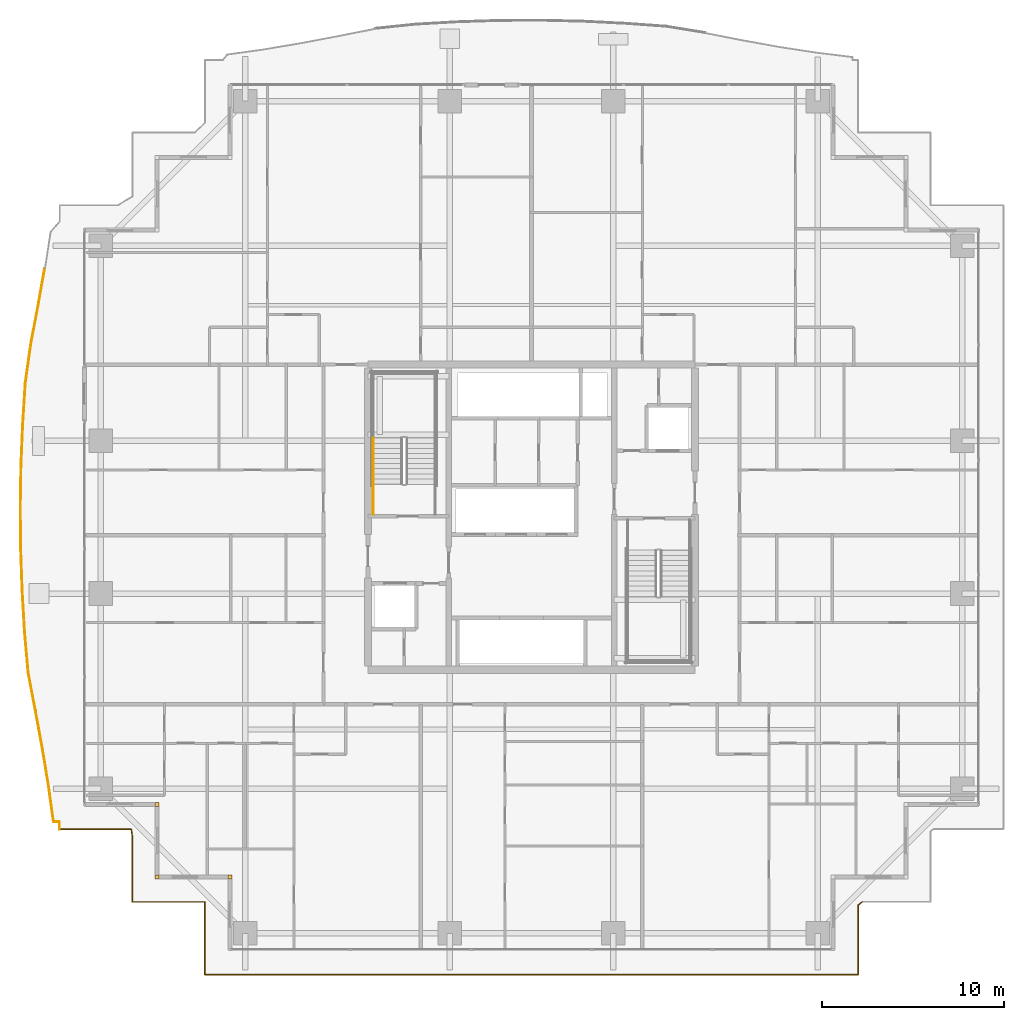
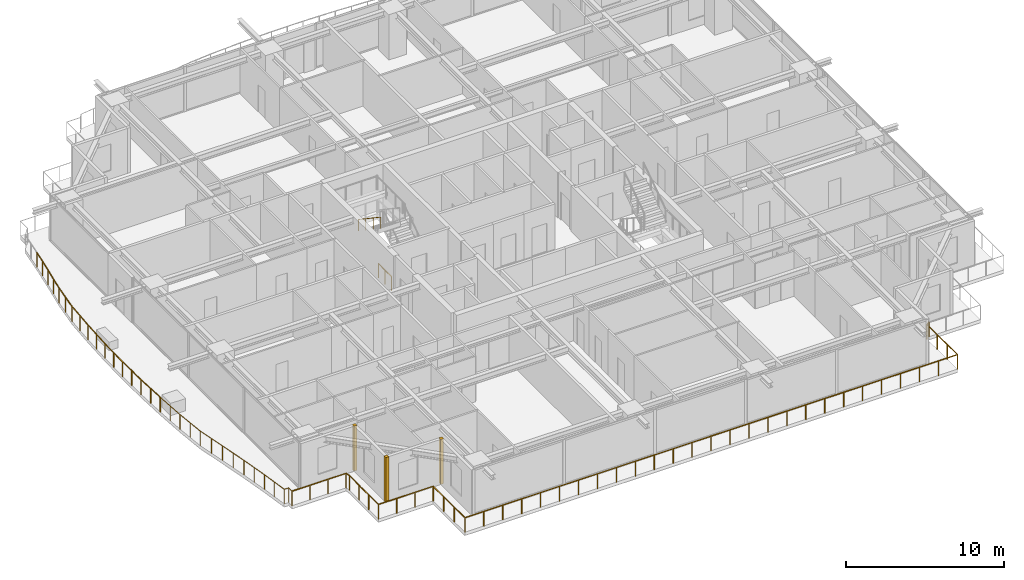
# One storey, part 34 of 38: 5 railings, 3 coverings.
"""IFC4 building model written with IfcOpenShell, lengths in metres."""

from ifc_helpers import new_model, si_unit, direction, frame, origin, origin_2d, place, context, subcontext, project, spatial, rectangle, circle, extrude, source, transform, mapped, material, layer, layer_set, type_object, element, save


model = new_model("IFC4")

# Units and contexts
model_context = context("Model", 3, precision=1e-05, world=origin(), true_north=direction((0.0, 1.0)))
body_context = subcontext(model_context, "Body", "Model", "MODEL_VIEW")
ifc_project = project(units=[si_unit("LENGTHUNIT", "METRE"), si_unit("AREAUNIT", "SQUARE_METRE"), si_unit("VOLUMEUNIT", "CUBIC_METRE"), si_unit("PLANEANGLEUNIT", "RADIAN"), si_unit("MASSUNIT", "GRAM", prefix="KILO")], contexts=[model_context])

# Site, building, storey
site_placement = place(None, origin())
site = spatial("IfcSite", under=ifc_project, at=site_placement, CompositionType="ELEMENT")
building_placement = place(site_placement, origin())
building = spatial("IfcBuilding", under=site, at=building_placement, Name="Serunith Strait Residences", CompositionType="ELEMENT")
storey_placement = place(building_placement, frame((0.0, 0.0, 120.14990234375)))
storey = spatial("IfcBuildingStorey", under=building, at=storey_placement, Name="L29", CompositionType="ELEMENT", Elevation=120.14990234375)

# Railings
ifc_material_1 = material(Name="Stainless Steel & Laminated Glass Balustrade", Category="steel")
railing_type_1 = type_object("IfcRailingType", Name="RLG-BALC-1150", PredefinedType="BALUSTRADE", material=ifc_material_1)
railing_1_placement = place(storey_placement, frame((6.419921875, 8.02001953125, -0.0498046875)))
element("IfcRailing", 1, at=railing_1_placement, inside=storey, type_object=railing_type_1, Name="L29 Swirling Balcony Perimeter Balustrade 1", PredefinedType="BALUSTRADE", context=body_context, shape_type="SweptSolid", body=[
    extrude(circle(Radius=0.02392578125, at=origin_2d()), frame((0.0, 0.001953125, 1.1259765625), z_axis=(0.0, 1.0, 0.0), x_axis=(-1.0, 0.0, 0.0)), (0.0, 0.0, 1.0), 0.40625),
    extrude(circle(Radius=0.02392578125, at=origin_2d()), frame((-0.001953125, 0.41015625, 1.1259765625), z_axis=(-0.998354096912, 0.05735065107, 0.0), x_axis=(-0.05735065107, -0.998354096912, 0.0)), (0.0, 0.0, 1.0), 0.319580078125),
    extrude(circle(Radius=0.02392578125, at=origin_2d()), frame((-0.3232421875, 0.4306640625, 1.1259765625), z_axis=(-0.137700040683, 0.990473976839, 0.0), x_axis=(-0.990473976839, -0.137700040683, 0.0)), (0.0, 0.0, 1.0), 2.01708984375),
    extrude(circle(Radius=0.02392578125, at=origin_2d()), frame((-0.6015625, 2.4326171875, 1.1259765625), z_axis=(-0.162408439988, 0.986723618153, 0.0), x_axis=(-0.986723618153, -0.162408439988, 0.0)), (0.0, 0.0, 1.0), 2.044921875),
    extrude(circle(Radius=0.02392578125, at=origin_2d()), frame((-0.934326171875, 4.454345703125, 1.1259765625), z_axis=(-0.180927869402, 0.983496368104, 0.0), x_axis=(-0.983496368104, -0.180927869402, 0.0)), (0.0, 0.0, 1.0), 2.0888671875),
    extrude(circle(Radius=0.02392578125, at=origin_2d()), frame((-1.313232421875, 6.5126953125, 1.1259765625), z_axis=(-0.186460195664, 0.982462516045, 0.0), x_axis=(-0.982462516045, -0.186460195664, 0.0)), (0.0, 0.0, 1.0), 2.147216796875),
    extrude(circle(Radius=0.02392578125, at=origin_2d()), frame((-1.714111328125, 8.626220703125, 1.1259765625), z_axis=(-0.088742194244, 0.996054628502, 0.0), x_axis=(-0.996054628502, -0.088742194244, 0.0)), (0.0, 0.0, 1.0), 2.22998046875),
    extrude(circle(Radius=0.02392578125, at=origin_2d()), frame((-1.912109375, 10.851318359375, 1.1259765625), z_axis=(-0.057720145887, 0.998332802606, 0.0), x_axis=(-0.998332802606, -0.057720145887, 0.0)), (0.0, 0.0, 1.0), 2.267333984375),
    extrude(circle(Radius=0.02099609375, at=origin_2d()), origin(), (0.0, 0.0, 1.0), 1.099853515625),
    extrude(circle(Radius=0.02099609375, at=origin_2d()), frame((0.0, 0.41015625, 0.0)), (0.0, 0.0, 1.0), 1.099853515625),
    extrude(circle(Radius=0.02099609375, at=origin_2d()), frame((-0.322998046875, 0.4287109375, 0.0)), (0.0, 0.0, 1.0), 1.099853515625),
    extrude(circle(Radius=0.02099609375, at=origin_2d()), frame((-0.462158203125, 1.4296875, 0.0)), (0.0, 0.0, 1.0), 1.099853515625),
    extrude(circle(Radius=0.02099609375, at=origin_2d()), frame((-0.601318359375, 2.4306640625, 0.0)), (0.0, 0.0, 1.0), 1.099853515625),
    extrude(circle(Radius=0.02099609375, at=origin_2d()), frame((-0.767578125, 3.44140625, 0.0)), (0.0, 0.0, 1.0), 1.099853515625),
    extrude(circle(Radius=0.02099609375, at=origin_2d()), frame((-0.93408203125, 4.452392578125, 0.0)), (0.0, 0.0, 1.0), 1.099853515625),
    extrude(circle(Radius=0.02099609375, at=origin_2d()), frame((-1.12353515625, 5.4814453125, 0.0)), (0.0, 0.0, 1.0), 1.099853515625),
    extrude(circle(Radius=0.02099609375, at=origin_2d()), frame((-1.312744140625, 6.5107421875, 0.0)), (0.0, 0.0, 1.0), 1.099853515625),
    extrude(circle(Radius=0.02099609375, at=origin_2d()), frame((-1.51318359375, 7.5673828125, 0.0)), (0.0, 0.0, 1.0), 1.099853515625),
    extrude(circle(Radius=0.02099609375, at=origin_2d()), frame((-1.7138671875, 8.624267578125, 0.0)), (0.0, 0.0, 1.0), 1.099853515625),
    extrude(circle(Radius=0.02099609375, at=origin_2d()), frame((-1.81298828125, 9.73681640625, 0.0)), (0.0, 0.0, 1.0), 1.099853515625),
    extrude(circle(Radius=0.02099609375, at=origin_2d()), frame((-1.912109375, 10.849365234375, 0.0)), (0.0, 0.0, 1.0), 1.099853515625),
    extrude(circle(Radius=0.02099609375, at=origin_2d()), frame((-1.9775390625, 11.983154296875, 0.0)), (0.0, 0.0, 1.0), 1.099853515625),
    extrude(circle(Radius=0.02099609375, at=origin_2d()), frame((-2.043212890625, 13.116943359375, 0.0)), (0.0, 0.0, 1.0), 1.099853515625),
])
railing_2_placement = place(storey_placement, frame((4.376708984375, 21.136962890625, -0.0498046875)))
element("IfcRailing", 2, at=railing_2_placement, inside=storey, type_object=railing_type_1, Name="L29 Swirling Balcony Perimeter Balustrade 2", PredefinedType="BALUSTRADE", context=body_context, shape_type="SweptSolid", body=[
    extrude(circle(Radius=0.02392578125, at=origin_2d()), frame((0.0, 0.001953125, 1.1259765625), z_axis=(-0.035444749736, 0.999371637438, 0.0), x_axis=(-0.999371637438, -0.035444749736, 0.0)), (0.0, 0.0, 1.0), 2.289794921875),
    extrude(circle(Radius=0.02392578125, at=origin_2d()), frame((-0.081298828125, 2.294189453125, 1.1259765625), z_axis=(-0.010064115772, 0.999949355504, 0.0), x_axis=(-0.999949355504, -0.010064115772, 0.0)), (0.0, 0.0, 1.0), 2.300537109375),
    extrude(circle(Radius=0.02392578125, at=origin_2d()), frame((-0.1044921875, 4.5986328125, 1.1259765625), z_axis=(0.016012370438, 0.999871793778, 0.0), x_axis=(-0.999871793778, 0.016012370438, 0.0)), (0.0, 0.0, 1.0), 2.29833984375),
    extrude(circle(Radius=0.02392578125, at=origin_2d()), frame((-0.067626953125, 6.900634765625, 1.1259765625), z_axis=(0.041088962232, 0.999155491994, 0.0), x_axis=(-0.999155491994, 0.041088962232, 0.0)), (0.0, 0.0, 1.0), 2.28369140625),
    extrude(circle(Radius=0.02392578125, at=origin_2d()), frame((0.026611328125, 9.186279296875, 1.1259765625), z_axis=(0.062593283777, 0.998039117884, 0.0), x_axis=(-0.998039117884, 0.062593283777, 0.0)), (0.0, 0.0, 1.0), 2.25830078125),
    extrude(circle(Radius=0.02392578125, at=origin_2d()), frame((0.168212890625, 11.444091796875, 1.1259765625), z_axis=(0.139135733302, 0.990273319704, 0.0), x_axis=(-0.990273319704, 0.139135733302, 0.0)), (0.0, 0.0, 1.0), 2.194580078125),
    extrude(circle(Radius=0.02392578125, at=origin_2d()), frame((0.474365234375, 13.621337890625, 1.1259765625), z_axis=(0.186035495468, 0.982543024211, 0.0), x_axis=(-0.982543024211, 0.186035495468, 0.0)), (0.0, 0.0, 1.0), 2.1220703125),
    extrude(circle(Radius=0.02392578125, at=origin_2d()), frame((0.86962890625, 15.710205078125, 1.1259765625), z_axis=(0.174779622771, 0.984607578411, 0.0), x_axis=(-0.984607578411, 0.174779622771, 0.0)), (0.0, 0.0, 1.0), 2.06884765625),
    extrude(circle(Radius=0.02099609375, at=origin_2d()), origin(), (0.0, 0.0, 1.0), 1.099853515625),
    extrude(circle(Radius=0.02099609375, at=origin_2d()), frame((-0.04052734375, 1.14599609375, 0.0)), (0.0, 0.0, 1.0), 1.099853515625),
    extrude(circle(Radius=0.02099609375, at=origin_2d()), frame((-0.081298828125, 2.292236328125, 0.0)), (0.0, 0.0, 1.0), 1.099853515625),
    extrude(circle(Radius=0.02099609375, at=origin_2d()), frame((-0.0927734375, 3.4443359375, 0.0)), (0.0, 0.0, 1.0), 1.099853515625),
    extrude(circle(Radius=0.02099609375, at=origin_2d()), frame((-0.1044921875, 4.5966796875, 0.0)), (0.0, 0.0, 1.0), 1.099853515625),
    extrude(circle(Radius=0.02099609375, at=origin_2d()), frame((-0.0859375, 5.74755859375, 0.0)), (0.0, 0.0, 1.0), 1.099853515625),
    extrude(circle(Radius=0.02099609375, at=origin_2d()), frame((-0.067626953125, 6.898681640625, 0.0)), (0.0, 0.0, 1.0), 1.099853515625),
    extrude(circle(Radius=0.02099609375, at=origin_2d()), frame((-0.0205078125, 8.04150390625, 0.0)), (0.0, 0.0, 1.0), 1.099853515625),
    extrude(circle(Radius=0.02099609375, at=origin_2d()), frame((0.0263671875, 9.184326171875, 0.0)), (0.0, 0.0, 1.0), 1.099853515625),
    extrude(circle(Radius=0.02099609375, at=origin_2d()), frame((0.09716796875, 10.313232421875, 0.0)), (0.0, 0.0, 1.0), 1.099853515625),
    extrude(circle(Radius=0.02099609375, at=origin_2d()), frame((0.16796875, 11.442138671875, 0.0)), (0.0, 0.0, 1.0), 1.099853515625),
    extrude(circle(Radius=0.02099609375, at=origin_2d()), frame((0.32080078125, 12.53076171875, 0.0)), (0.0, 0.0, 1.0), 1.099853515625),
    extrude(circle(Radius=0.02099609375, at=origin_2d()), frame((0.473876953125, 13.619384765625, 0.0)), (0.0, 0.0, 1.0), 1.099853515625),
    extrude(circle(Radius=0.02099609375, at=origin_2d()), frame((0.671630859375, 14.663818359375, 0.0)), (0.0, 0.0, 1.0), 1.099853515625),
    extrude(circle(Radius=0.02099609375, at=origin_2d()), frame((0.869384765625, 15.708251953125, 0.0)), (0.0, 0.0, 1.0), 1.099853515625),
    extrude(circle(Radius=0.02099609375, at=origin_2d()), frame((1.050537109375, 16.728759765625, 0.0)), (0.0, 0.0, 1.0), 1.099853515625),
    extrude(circle(Radius=0.02099609375, at=origin_2d()), frame((1.231689453125, 17.749267578125, 0.0)), (0.0, 0.0, 1.0), 1.099853515625),
])
railing_3_placement = place(storey_placement, frame((50.601806640625, 4.02001953125, -0.0498046875)))
element("IfcRailing", 3, at=railing_3_placement, inside=storey, type_object=railing_type_1, Name="L29 Swirling Balcony Perimeter Balustrade 8", PredefinedType="BALUSTRADE", context=body_context, shape_type="SweptSolid", body=[
    extrude(circle(Radius=0.02392578125, at=origin_2d()), frame((-0.00146484375, -0.001220703125, 1.1259765625), z_axis=(-0.778021630841, -0.62823748849, 0.0), x_axis=(0.62823748849, -0.778021630841, 0.0)), (0.0, 0.0, 1.0), 0.28125),
    extrude(circle(Radius=0.02392578125, at=origin_2d()), frame((-0.221923828125, -0.18115234375, 1.1259765625), z_axis=(0.0, -1.0, 0.0), x_axis=(1.0, 0.0, 0.0)), (0.0, 0.0, 1.0), 3.81689453125),
    extrude(circle(Radius=0.02392578125, at=origin_2d()), frame((-0.223876953125, -4.0, 1.1259765625), z_axis=(-1.0, 0.0, 0.0), x_axis=(0.0, -1.0, 0.0)), (0.0, 0.0, 1.0), 35.9560546875),
    extrude(circle(Radius=0.02392578125, at=origin_2d()), frame((-36.181884765625, -3.998046875, 1.1259765625), z_axis=(0.0, 1.0, 0.0), x_axis=(-1.0, 0.0, 0.0)), (0.0, 0.0, 1.0), 3.99609375),
    extrude(circle(Radius=0.02392578125, at=origin_2d()), frame((-36.183837890625, 0.0, 1.1259765625), z_axis=(-1.0, 0.0, 0.0), x_axis=(0.0, -1.0, 0.0)), (0.0, 0.0, 1.0), 3.99609375),
    extrude(circle(Radius=0.02392578125, at=origin_2d()), frame((-40.181884765625, 0.001953125, 1.1259765625), z_axis=(0.0, 1.0, 0.0), x_axis=(-1.0, 0.0, 0.0)), (0.0, 0.0, 1.0), 3.664306640625),
    extrude(circle(Radius=0.02392578125, at=origin_2d()), frame((-40.18212890625, 3.670166015625, 1.1259765625), z_axis=(-0.14559878135, 0.989343719275, 0.0), x_axis=(-0.989343719275, -0.14559878135, 0.0)), (0.0, 0.0, 1.0), 0.331298828125),
    extrude(circle(Radius=0.02392578125, at=origin_2d()), frame((-40.232666015625, 4.0, 1.1259765625), z_axis=(-1.0, 0.0, 0.0), x_axis=(0.0, -1.0, 0.0)), (0.0, 0.0, 1.0), 3.947265625),
    extrude(circle(Radius=0.02099609375, at=origin_2d()), origin(), (0.0, 0.0, 1.0), 1.099853515625),
    extrude(circle(Radius=0.02099609375, at=origin_2d()), frame((-0.221923828125, -0.17919921875, 0.0)), (0.0, 0.0, 1.0), 1.099853515625),
    extrude(circle(Radius=0.02099609375, at=origin_2d()), frame((-0.221923828125, -1.452880859375, 0.0)), (0.0, 0.0, 1.0), 1.099853515625),
    extrude(circle(Radius=0.02099609375, at=origin_2d()), frame((-0.221923828125, -2.726318359375, 0.0)), (0.0, 0.0, 1.0), 1.099853515625),
    extrude(circle(Radius=0.02099609375, at=origin_2d()), frame((-0.221923828125, -4.0, 0.0)), (0.0, 0.0, 1.0), 1.099853515625),
    extrude(circle(Radius=0.02099609375, at=origin_2d()), frame((-1.60498046875, -4.0, 0.0)), (0.0, 0.0, 1.0), 1.099853515625),
    extrude(circle(Radius=0.02099609375, at=origin_2d()), frame((-2.988037109375, -4.0, 0.0)), (0.0, 0.0, 1.0), 1.099853515625),
    extrude(circle(Radius=0.02099609375, at=origin_2d()), frame((-4.37109375, -4.0, 0.0)), (0.0, 0.0, 1.0), 1.099853515625),
    extrude(circle(Radius=0.02099609375, at=origin_2d()), frame((-5.754150390625, -4.0, 0.0)), (0.0, 0.0, 1.0), 1.099853515625),
    extrude(circle(Radius=0.02099609375, at=origin_2d()), frame((-7.13720703125, -4.0, 0.0)), (0.0, 0.0, 1.0), 1.099853515625),
    extrude(circle(Radius=0.02099609375, at=origin_2d()), frame((-8.520263671875, -4.0, 0.0)), (0.0, 0.0, 1.0), 1.099853515625),
    extrude(circle(Radius=0.02099609375, at=origin_2d()), frame((-9.903564453125, -4.0, 0.0)), (0.0, 0.0, 1.0), 1.099853515625),
    extrude(circle(Radius=0.02099609375, at=origin_2d()), frame((-11.28662109375, -4.0, 0.0)), (0.0, 0.0, 1.0), 1.099853515625),
    extrude(circle(Radius=0.02099609375, at=origin_2d()), frame((-12.669677734375, -4.0, 0.0)), (0.0, 0.0, 1.0), 1.099853515625),
    extrude(circle(Radius=0.02099609375, at=origin_2d()), frame((-14.052734375, -4.0, 0.0)), (0.0, 0.0, 1.0), 1.099853515625),
    extrude(circle(Radius=0.02099609375, at=origin_2d()), frame((-15.435791015625, -4.0, 0.0)), (0.0, 0.0, 1.0), 1.099853515625),
    extrude(circle(Radius=0.02099609375, at=origin_2d()), frame((-16.81884765625, -4.0, 0.0)), (0.0, 0.0, 1.0), 1.099853515625),
    extrude(circle(Radius=0.02099609375, at=origin_2d()), frame((-18.201904296875, -4.0, 0.0)), (0.0, 0.0, 1.0), 1.099853515625),
    extrude(circle(Radius=0.02099609375, at=origin_2d()), frame((-19.5849609375, -4.0, 0.0)), (0.0, 0.0, 1.0), 1.099853515625),
    extrude(circle(Radius=0.02099609375, at=origin_2d()), frame((-20.968017578125, -4.0, 0.0)), (0.0, 0.0, 1.0), 1.099853515625),
    extrude(circle(Radius=0.02099609375, at=origin_2d()), frame((-22.35107421875, -4.0, 0.0)), (0.0, 0.0, 1.0), 1.099853515625),
    extrude(circle(Radius=0.02099609375, at=origin_2d()), frame((-23.734130859375, -4.0, 0.0)), (0.0, 0.0, 1.0), 1.099853515625),
    extrude(circle(Radius=0.02099609375, at=origin_2d()), frame((-25.1171875, -4.0, 0.0)), (0.0, 0.0, 1.0), 1.099853515625),
    extrude(circle(Radius=0.02099609375, at=origin_2d()), frame((-26.500244140625, -4.0, 0.0)), (0.0, 0.0, 1.0), 1.099853515625),
    extrude(circle(Radius=0.02099609375, at=origin_2d()), frame((-27.883544921875, -4.0, 0.0)), (0.0, 0.0, 1.0), 1.099853515625),
    extrude(circle(Radius=0.02099609375, at=origin_2d()), frame((-29.2666015625, -4.0, 0.0)), (0.0, 0.0, 1.0), 1.099853515625),
    extrude(circle(Radius=0.02099609375, at=origin_2d()), frame((-30.649658203125, -4.0, 0.0)), (0.0, 0.0, 1.0), 1.099853515625),
    extrude(circle(Radius=0.02099609375, at=origin_2d()), frame((-32.03271484375, -4.0, 0.0)), (0.0, 0.0, 1.0), 1.099853515625),
    extrude(circle(Radius=0.02099609375, at=origin_2d()), frame((-33.415771484375, -4.0, 0.0)), (0.0, 0.0, 1.0), 1.099853515625),
    extrude(circle(Radius=0.02099609375, at=origin_2d()), frame((-34.798828125, -4.0, 0.0)), (0.0, 0.0, 1.0), 1.099853515625),
    extrude(circle(Radius=0.02099609375, at=origin_2d()), frame((-36.181884765625, -4.0, 0.0)), (0.0, 0.0, 1.0), 1.099853515625),
    extrude(circle(Radius=0.02099609375, at=origin_2d()), frame((-36.181884765625, -2.666748046875, 0.0)), (0.0, 0.0, 1.0), 1.099853515625),
    extrude(circle(Radius=0.02099609375, at=origin_2d()), frame((-36.181884765625, -1.333251953125, 0.0)), (0.0, 0.0, 1.0), 1.099853515625),
    extrude(circle(Radius=0.02099609375, at=origin_2d()), frame((-36.181884765625, 0.0, 0.0)), (0.0, 0.0, 1.0), 1.099853515625),
    extrude(circle(Radius=0.02099609375, at=origin_2d()), frame((-37.51513671875, 0.0, 0.0)), (0.0, 0.0, 1.0), 1.099853515625),
    extrude(circle(Radius=0.02099609375, at=origin_2d()), frame((-38.8486328125, 0.0, 0.0)), (0.0, 0.0, 1.0), 1.099853515625),
    extrude(circle(Radius=0.02099609375, at=origin_2d()), frame((-40.181884765625, 0.0, 0.0)), (0.0, 0.0, 1.0), 1.099853515625),
    extrude(circle(Radius=0.02099609375, at=origin_2d()), frame((-40.181884765625, 1.22265625, 0.0)), (0.0, 0.0, 1.0), 1.099853515625),
    extrude(circle(Radius=0.02099609375, at=origin_2d()), frame((-40.181884765625, 2.445556640625, 0.0)), (0.0, 0.0, 1.0), 1.099853515625),
    extrude(circle(Radius=0.02099609375, at=origin_2d()), frame((-40.181884765625, 3.668212890625, 0.0)), (0.0, 0.0, 1.0), 1.099853515625),
    extrude(circle(Radius=0.02099609375, at=origin_2d()), frame((-40.230712890625, 4.0, 0.0)), (0.0, 0.0, 1.0), 1.099853515625),
    extrude(circle(Radius=0.02099609375, at=origin_2d()), frame((-41.5478515625, 4.0, 0.0)), (0.0, 0.0, 1.0), 1.099853515625),
    extrude(circle(Radius=0.02099609375, at=origin_2d()), frame((-42.86474609375, 4.0, 0.0)), (0.0, 0.0, 1.0), 1.099853515625),
    extrude(circle(Radius=0.02099609375, at=origin_2d()), frame((-44.181884765625, 4.0, 0.0)), (0.0, 0.0, 1.0), 1.099853515625),
])
ifc_material_2 = material(Name="Brushed stainless steel 316L", Category="steel")
railing_type_2 = type_object("IfcRailingType", Name="RLG-STAIR-GUARD", PredefinedType="BALUSTRADE", material=ifc_material_2)
railing_4_placement = place(storey_placement, frame((23.699951171875, 25.35009765625, 0.0)))
element("IfcRailing", 4, at=railing_4_placement, inside=storey, type_object=railing_type_2, Name="L29 ST-1 stair guard 9", PredefinedType="BALUSTRADE", context=body_context, shape_type="SweptSolid", body=[
    extrude(circle(Radius=0.02392578125, at=origin_2d()), frame((0.0, 0.001953125, 1.076171875), z_axis=(0.0, 1.0, 0.0), x_axis=(-1.0, 0.0, 0.0)), (0.0, 0.0, 1.0), 1.676025390625),
    extrude(circle(Radius=0.02099609375, at=origin_2d()), origin(), (0.0, 0.0, 1.0), 1.050048828125),
    extrude(circle(Radius=0.02099609375, at=origin_2d()), frame((0.0, 0.83984375, 0.0)), (0.0, 0.0, 1.0), 1.050048828125),
    extrude(circle(Radius=0.02099609375, at=origin_2d()), frame((0.0, 1.679931640625, 0.0)), (0.0, 0.0, 1.0), 1.050048828125),
])
railing_type_3 = type_object("IfcRailingType", Name="RLG-STAIR-HR", PredefinedType="HANDRAIL", material=ifc_material_2)
railing_5_placement = place(storey_placement, frame((23.699951171875, 29.550048828125, 2.0625)))
element("IfcRailing", 5, at=railing_5_placement, inside=storey, type_object=railing_type_3, Name="L29 ST-1 stair handrail 2", PredefinedType="HANDRAIL", context=body_context, shape_type="SweptSolid", body=[
    extrude(circle(Radius=0.02392578125, at=origin_2d()), frame((0.0, -0.001708984375, 0.876953125), z_axis=(0.0, -0.830208209119, 0.557453432594), x_axis=(1.0, 0.0, 0.0)), (0.0, 0.0, 1.0), 3.36865234375),
    extrude(circle(Radius=0.02099609375, at=origin_2d()), origin(), (0.0, 0.0, 1.0), 0.849853515625),
    extrude(circle(Radius=0.02099609375, at=origin_2d()), frame((0.0, -0.933349609375, 0.626708984375)), (0.0, 0.0, 1.0), 0.849853515625),
    extrude(circle(Radius=0.02099609375, at=origin_2d()), frame((0.0, -1.86669921875, 1.25341796875)), (0.0, 0.0, 1.0), 0.849853515625),
    extrude(circle(Radius=0.02099609375, at=origin_2d()), frame((0.0, -2.800048828125, 1.880126953125)), (0.0, 0.0, 1.0), 0.849853515625),
])

# Coverings
ifc_material_3 = material(Name="Pale-Champagne Anodised Aluminium", Category="aluminium")
ifc_layer = layer(ifc_material_3, 0.219970703125, Name="Pale-Champagne Anodised Aluminium")
ifc_layer_set = layer_set([ifc_layer], Name="Pale-Champagne Anodised Aluminium")
covering_type = type_object("IfcCoveringType", Name="COV-CORN-TRIM", PredefinedType="CLADDING", material=ifc_layer_set)
shared_shape = source(origin(), body_context, "Body", "SweptSolid", [
    extrude(rectangle(XDim=0.221923828125, YDim=0.221923828125, at=origin_2d()), origin(), (0.0, 0.0, 1.0), 3.47509765625),
])
for number, where, z_axis, x_axis, name in (
    (6, (11.800048828125, 9.39990234375, 0.0), (0.0, 0.0, 1.0), (1.0, 0.0, 0.0), "L29 Girih Serrated Corner Trim Post 17"),
    (7, (11.800048828125, 5.39990234375, 0.0), (0.0, 0.0, 1.0), (1.0, 0.0, 0.0), "L29 Girih Serrated Corner Trim Post 18"),
    (8, (15.800048828125, 5.39990234375, 0.0), (0.0, 0.0, 1.0), (1.0, 0.0, 0.0), "L29 Girih Serrated Corner Trim Post 19"),
):
    element("IfcCovering", number, at=place(storey_placement, frame(where, z_axis=z_axis, x_axis=x_axis)), inside=storey, type_object=covering_type, Name=name, PredefinedType="CLADDING", context=body_context, shape_type="MappedRepresentation", body=[
        mapped(shared_shape, transform((0.0, 0.0, 0.0), scale=1.0)),
    ])

save(model, "model.ifc")
